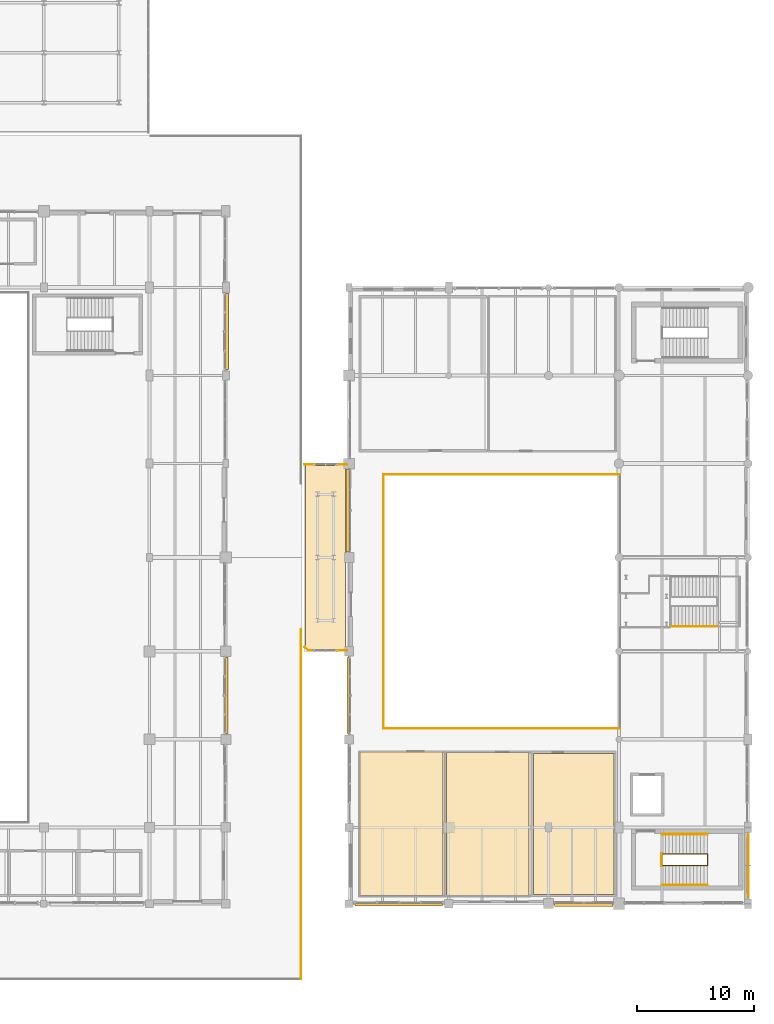
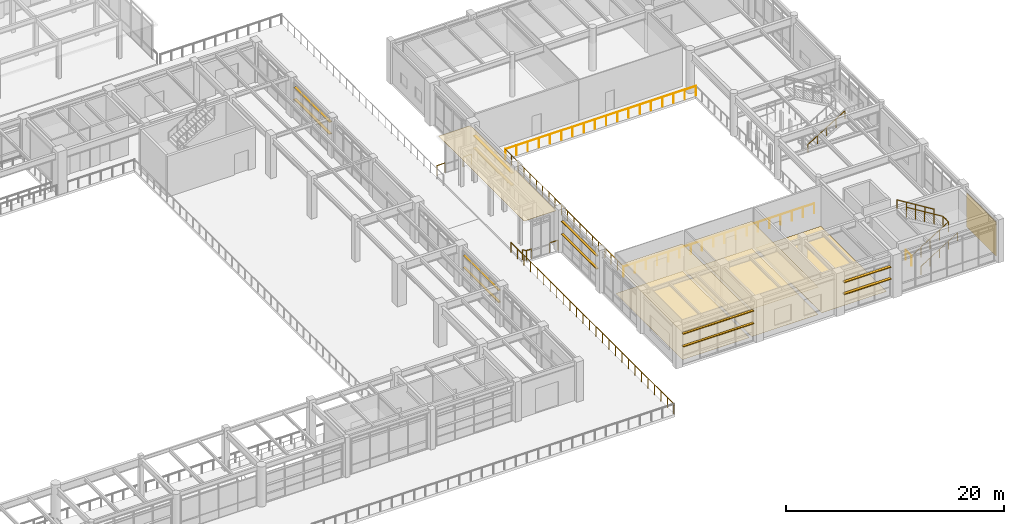
# One storey, part 198 of 200: 13 railings, 12 shading devices, 7 coverings.
"""IFC4 building model written with IfcOpenShell, lengths in metres."""

import ifcopenshell
import ifcopenshell.guid

model = None  # the IFC model being written
_history = None  # IfcOwnerHistory: only IFC2X3 demands one
_inside = {}  # id of a spatial element -> (the spatial element, [elements in it])
_under = {}  # id of a project, library or spatial element -> (it, [spatial elements below it])
_declared = {}  # id of a project -> (the project, [libraries it declares])
_typed = {}  # id of a type object -> (the type object, [elements of that type])
_made_of = {}  # id of a material, layer set ... -> (it, [elements and type objects made of it])


def new_model(schema):
    """Start an empty IFC model of exactly this schema.

    Asked for "IFC4X3", IfcOpenShell would pick the latest addendum, in which some entities
    have other attributes; the version numbers below select the first issue.
    IFC2X3 requires an IfcOwnerHistory on every rooted entity: one is made here for all.
    """
    global model, _history
    if schema == "IFC4X3":
        model = ifcopenshell.file(schema_version=(4, 3, 0, 0))
    else:
        model = ifcopenshell.file(schema=schema)
    _inside.clear()
    _under.clear()
    _declared.clear()
    _typed.clear()
    _made_of.clear()
    _history = None
    if model.schema == "IFC2X3":
        org = make("IfcOrganization", Name="unknown")
        user = make(
            "IfcPersonAndOrganization",
            ThePerson=make("IfcPerson", FamilyName="unknown"),
            TheOrganization=org,
        )
        app = make(
            "IfcApplication",
            ApplicationDeveloper=org,
            Version="unknown",
            ApplicationFullName="unknown",
            ApplicationIdentifier="unknown",
        )
        _history = make(
            "IfcOwnerHistory",
            OwningUser=user,
            OwningApplication=app,
            ChangeAction="ADDED",
            CreationDate=0,
        )
    return model


def make(cls, **values):
    """One entity of the class cls with the attributes given. An attribute that is None is left unset."""
    return model.create_entity(
        cls, **{name: value for name, value in values.items() if value is not None}
    )


def rooted(cls, **values):
    """An entity with a GlobalId (a new one), such as an element, a storey or a relation."""
    return make(cls, GlobalId=ifcopenshell.guid.new(), OwnerHistory=_history, **values)


def si_unit(unit_type, name, prefix=None):
    """IfcSIUnit, for example si_unit("LENGTHUNIT", "METRE", prefix="MILLI")."""
    return make("IfcSIUnit", UnitType=unit_type, Prefix=prefix, Name=name)


def assignment(units):
    """IfcUnitAssignment: the units of a project."""
    return None if units is None else make("IfcUnitAssignment", Units=units)


def point(xyz):
    """IfcCartesianPoint."""
    return None if xyz is None else make("IfcCartesianPoint", Coordinates=xyz)


def direction(xyz):
    """IfcDirection."""
    return None if xyz is None else make("IfcDirection", DirectionRatios=xyz)


def frame(location, z_axis=None, x_axis=None):
    """IfcAxis2Placement3D, a coordinate frame: its origin and axes. An axis left out is left unset."""
    return make(
        "IfcAxis2Placement3D",
        Location=point(location),
        Axis=direction(z_axis),
        RefDirection=direction(x_axis),
    )


def frame_2d(location, x_axis=None):
    """IfcAxis2Placement2D, a coordinate frame in the plane: its origin and x axis."""
    return make(
        "IfcAxis2Placement2D", Location=point(location), RefDirection=direction(x_axis)
    )


def origin():
    """The frame at (0, 0, 0) with its axes left unset."""
    return frame((0.0, 0.0, 0.0))


def origin_2d():
    """The frame at (0, 0) in the plane with its x axis left unset."""
    return frame_2d((0.0, 0.0))


def place(relative_to, where):
    """IfcLocalPlacement: puts the frame where relative to a parent placement (None: the world)."""
    return make(
        "IfcLocalPlacement", PlacementRelTo=relative_to, RelativePlacement=where
    )


def context(
    kind, dimensions, precision=None, world=None, true_north=None, identifier=None
):
    """IfcGeometricRepresentationContext, for example the 3D "Model" context."""
    return make(
        "IfcGeometricRepresentationContext",
        ContextIdentifier=identifier,
        ContextType=kind,
        CoordinateSpaceDimension=dimensions,
        Precision=precision,
        WorldCoordinateSystem=world,
        TrueNorth=true_north,
    )


def subcontext(parent, identifier, kind, view, scale=None):
    """IfcGeometricRepresentationSubContext, for example "Body" below "Model"."""
    return make(
        "IfcGeometricRepresentationSubContext",
        ContextIdentifier=identifier,
        ContextType=kind,
        ParentContext=parent,
        TargetScale=scale,
        TargetView=view,
    )


def project(units=None, contexts=None):
    """IfcProject with its units and contexts."""
    return rooted(
        "IfcProject",
        Name="project",
        RepresentationContexts=contexts,
        UnitsInContext=assignment(units),
    )


def spatial(cls, under=None, at=None, **own):
    """A site, building, storey or space (cls), placed at a placement, below another one or the project."""
    s = rooted(cls, ObjectPlacement=at, **own)
    if under is not None:
        _under.setdefault(under.id(), (under, []))[1].append(s)
    return s


def polyline(points):
    """IfcPolyline through the points."""
    return make("IfcPolyline", Points=[point(p) for p in points])


def profile(cls, at=None, kind="AREA", **sizes):
    """A parametric profile (cls). Its sizes go by their IFC names, for example OverallWidth=200.0."""
    return make(cls, ProfileType=kind, Position=at, **sizes)


def rectangle(**sizes):
    """IfcRectangleProfileDef."""
    return profile("IfcRectangleProfileDef", **sizes)


def circle(**sizes):
    """IfcCircleProfileDef."""
    return profile("IfcCircleProfileDef", **sizes)


def outline(outer, holes=None, kind="AREA"):
    """IfcArbitraryClosedProfileDef: a profile drawn as a closed curve; with holes, ...WithVoids."""
    if holes is None:
        return make("IfcArbitraryClosedProfileDef", ProfileType=kind, OuterCurve=outer)
    return make(
        "IfcArbitraryProfileDefWithVoids",
        ProfileType=kind,
        OuterCurve=outer,
        InnerCurves=holes,
    )


def extrude(swept, where, along, depth):
    """IfcExtrudedAreaSolid: the profile swept, set in the frame where, extruded along a direction by depth."""
    return make(
        "IfcExtrudedAreaSolid",
        SweptArea=swept,
        Position=where,
        ExtrudedDirection=direction(along),
        Depth=depth,
    )


def shape(context_of_items, identifier, shape_type, items):
    """IfcShapeRepresentation: the items that make up one representation, for example the "Body"."""
    return make(
        "IfcShapeRepresentation",
        ContextOfItems=context_of_items,
        RepresentationIdentifier=identifier,
        RepresentationType=shape_type,
        Items=items,
    )


def material(Name=None, Category=None):
    """IfcMaterial."""
    return make("IfcMaterial", Name=Name, Category=Category)


def layer(
    of_material, thickness, ventilated=None, Name=None, Category=None, Priority=None
):
    """IfcMaterialLayer: one layer of a wall or slab, of a material (None: an air gap)."""
    return make(
        "IfcMaterialLayer",
        Material=of_material,
        LayerThickness=thickness,
        IsVentilated=ventilated,
        Name=Name,
        Category=Category,
        Priority=Priority,
    )


def layer_set(layers, Name=None):
    """IfcMaterialLayerSet."""
    return make("IfcMaterialLayerSet", MaterialLayers=layers, LayerSetName=Name)


def made_of(thing, what):
    """Note that an element or type object is made of a material, layer set ...; save() writes the relation."""
    if what is not None:
        _made_of.setdefault(what.id(), (what, []))[1].append(thing)
    return thing


def type_object(cls, material=None, **own):
    """A type object (cls), such as IfcWallType, which elements share."""
    return made_of(rooted(cls, **own), material)


def element(
    cls,
    number,
    at=None,
    inside=None,
    cuts=None,
    type_object=None,
    material=None,
    context=None,
    identifier="Body",
    shape_type=None,
    held_by="IfcProductDefinitionShape",
    body=None,
    shapes=None,
    **own,
):
    """One element of the class cls, such as IfcWall. Its Tag is "e" and its number.

    at: its placement. inside: the storey or other place that contains it. cuts: it is an
    opening in that element (IfcRelVoidsElement). A single representation is given by context,
    identifier, shape_type and body (its items); several are given by shapes. held_by: the class
    of the entity that holds the representations. save() writes the other relations.
    """
    e = rooted(cls, Tag="e%d" % number, ObjectPlacement=at, **own)
    if body is not None:
        shapes = [shape(context, identifier, shape_type, body)]
    if shapes is not None:
        e.Representation = make(held_by, Representations=shapes)
    if inside is not None:
        _inside.setdefault(inside.id(), (inside, []))[1].append(e)
    if cuts is not None:
        rooted(
            "IfcRelVoidsElement", RelatingBuildingElement=cuts, RelatedOpeningElement=e
        )
    if type_object is not None:
        _typed.setdefault(type_object.id(), (type_object, []))[1].append(e)
    return made_of(e, material)


def aggregate(whole, parts):
    """IfcRelAggregates: a whole, such as a stair, and the parts it consists of."""
    return rooted("IfcRelAggregates", RelatingObject=whole, RelatedObjects=parts)


def save(model, path):
    """Write the relations noted so far, then the file.

    IfcRelAggregates (storeys below a building ...), IfcRelContainedInSpatialStructure (elements
    in a storey), IfcRelDefinesByType, IfcRelAssociatesMaterial and IfcRelDeclares: one each for
    every whole, place, type object, material and project.
    """
    for whole, parts in _under.values():
        aggregate(whole, parts)
    for where, things in _inside.values():
        rooted(
            "IfcRelContainedInSpatialStructure",
            RelatedElements=things,
            RelatingStructure=where,
        )
    for kind, things in _typed.values():
        rooted("IfcRelDefinesByType", RelatedObjects=things, RelatingType=kind)
    for what, things in _made_of.values():
        rooted("IfcRelAssociatesMaterial", RelatedObjects=things, RelatingMaterial=what)
    for by, libraries in _declared.values():
        rooted("IfcRelDeclares", RelatingContext=by, RelatedDefinitions=libraries)
    model.write(path)


model = new_model("IFC4")

# Units and contexts
model_context = context("Model", 3, precision=1e-05, world=origin(), true_north=direction((0.0, 1.0)))
body_context = subcontext(model_context, "Body", "Model", "MODEL_VIEW")
ifc_project = project(units=[si_unit("LENGTHUNIT", "METRE"), si_unit("AREAUNIT", "SQUARE_METRE"), si_unit("VOLUMEUNIT", "CUBIC_METRE"), si_unit("PLANEANGLEUNIT", "RADIAN"), si_unit("MASSUNIT", "GRAM", prefix="KILO"), si_unit("THERMODYNAMICTEMPERATUREUNIT", "KELVIN"), si_unit("POWERUNIT", "WATT")], contexts=[model_context])

# Site, building, storey
site_placement = place(None, origin())
site = spatial("IfcSite", under=ifc_project, at=site_placement, CompositionType="ELEMENT")
building_placement = place(site_placement, origin())
building = spatial("IfcBuilding", under=site, at=building_placement, Name="Tepalcoro Natatorium and Aquatics Centre", CompositionType="ELEMENT")
storey_placement = place(building_placement, frame((0.0, 0.0, 5.39990234375)))
storey = spatial("IfcBuildingStorey", under=building, at=storey_placement, Name="L01", CompositionType="ELEMENT", Elevation=5.39990234375)

# Railings
ifc_material_1 = material(Name="Marine-Grade Brushed Stainless Steel AISI 316L", Category="steel")
railing_type_1 = type_object("IfcRailingType", Name="BL_GLASS_1100", PredefinedType="BALUSTRADE", material=ifc_material_1)
railing_1_placement = place(storey_placement, frame((144.919921875, 21.419921875, 0.0)))
element("IfcRailing", 1, at=railing_1_placement, inside=storey, type_object=railing_type_1, Name="V2 L01 Diving Well Gallery Balustrade (S)", PredefinedType="BALUSTRADE", context=body_context, shape_type="SweptSolid", body=[
    extrude(circle(Radius=0.02392578125, at=origin_2d()), frame((0.0, 0.0, 1.09619140625), z_axis=(1.0, 0.0, 0.0), x_axis=(0.0, 1.0, 0.0)), (0.0, 0.0, 1.0), 20.16015625),
    extrude(circle(Radius=0.02099609375, at=origin_2d()), origin(), (0.0, 0.0, 1.0), 1.072021484375),
    extrude(circle(Radius=0.02099609375, at=origin_2d()), frame((1.185791015625, 0.0, 0.0)), (0.0, 0.0, 1.0), 1.072021484375),
    extrude(circle(Radius=0.02099609375, at=origin_2d()), frame((2.371826171875, 0.0, 0.0)), (0.0, 0.0, 1.0), 1.072021484375),
    extrude(circle(Radius=0.02099609375, at=origin_2d()), frame((3.5576171875, 0.0, 0.0)), (0.0, 0.0, 1.0), 1.072021484375),
    extrude(circle(Radius=0.02099609375, at=origin_2d()), frame((4.74365234375, 0.0, 0.0)), (0.0, 0.0, 1.0), 1.072021484375),
    extrude(circle(Radius=0.02099609375, at=origin_2d()), frame((5.929443359375, 0.0, 0.0)), (0.0, 0.0, 1.0), 1.072021484375),
    extrude(circle(Radius=0.02099609375, at=origin_2d()), frame((7.115234375, 0.0, 0.0)), (0.0, 0.0, 1.0), 1.072021484375),
    extrude(circle(Radius=0.02099609375, at=origin_2d()), frame((8.30126953125, 0.0, 0.0)), (0.0, 0.0, 1.0), 1.072021484375),
    extrude(circle(Radius=0.02099609375, at=origin_2d()), frame((9.487060546875, 0.0, 0.0)), (0.0, 0.0, 1.0), 1.072021484375),
    extrude(circle(Radius=0.02099609375, at=origin_2d()), frame((10.673095703125, 0.0, 0.0)), (0.0, 0.0, 1.0), 1.072021484375),
    extrude(circle(Radius=0.02099609375, at=origin_2d()), frame((11.85888671875, 0.0, 0.0)), (0.0, 0.0, 1.0), 1.072021484375),
    extrude(circle(Radius=0.02099609375, at=origin_2d()), frame((13.044921875, 0.0, 0.0)), (0.0, 0.0, 1.0), 1.072021484375),
    extrude(circle(Radius=0.02099609375, at=origin_2d()), frame((14.230712890625, 0.0, 0.0)), (0.0, 0.0, 1.0), 1.072021484375),
    extrude(circle(Radius=0.02099609375, at=origin_2d()), frame((15.41650390625, 0.0, 0.0)), (0.0, 0.0, 1.0), 1.072021484375),
    extrude(circle(Radius=0.02099609375, at=origin_2d()), frame((16.6025390625, 0.0, 0.0)), (0.0, 0.0, 1.0), 1.072021484375),
    extrude(circle(Radius=0.02099609375, at=origin_2d()), frame((17.788330078125, 0.0, 0.0)), (0.0, 0.0, 1.0), 1.072021484375),
    extrude(circle(Radius=0.02099609375, at=origin_2d()), frame((18.974365234375, 0.0, 0.0)), (0.0, 0.0, 1.0), 1.072021484375),
    extrude(circle(Radius=0.02099609375, at=origin_2d()), frame((20.16015625, 0.0, 0.0)), (0.0, 0.0, 1.0), 1.072021484375),
])
railing_2_placement = place(storey_placement, frame((165.080078125, 43.080078125, 0.0)))
element("IfcRailing", 2, at=railing_2_placement, inside=storey, type_object=railing_type_1, Name="V2 L01 Diving Well Gallery Balustrade (N)", PredefinedType="BALUSTRADE", context=body_context, shape_type="SweptSolid", body=[
    extrude(circle(Radius=0.02392578125, at=origin_2d()), frame((0.0, 0.0, 1.09619140625), z_axis=(-1.0, 0.0, 0.0), x_axis=(0.0, -1.0, 0.0)), (0.0, 0.0, 1.0), 20.16015625),
    extrude(circle(Radius=0.02099609375, at=origin_2d()), origin(), (0.0, 0.0, 1.0), 1.072021484375),
    extrude(circle(Radius=0.02099609375, at=origin_2d()), frame((-1.185791015625, 0.0, 0.0)), (0.0, 0.0, 1.0), 1.072021484375),
    extrude(circle(Radius=0.02099609375, at=origin_2d()), frame((-2.371826171875, 0.0, 0.0)), (0.0, 0.0, 1.0), 1.072021484375),
    extrude(circle(Radius=0.02099609375, at=origin_2d()), frame((-3.5576171875, 0.0, 0.0)), (0.0, 0.0, 1.0), 1.072021484375),
    extrude(circle(Radius=0.02099609375, at=origin_2d()), frame((-4.74365234375, 0.0, 0.0)), (0.0, 0.0, 1.0), 1.072021484375),
    extrude(circle(Radius=0.02099609375, at=origin_2d()), frame((-5.929443359375, 0.0, 0.0)), (0.0, 0.0, 1.0), 1.072021484375),
    extrude(circle(Radius=0.02099609375, at=origin_2d()), frame((-7.115234375, 0.0, 0.0)), (0.0, 0.0, 1.0), 1.072021484375),
    extrude(circle(Radius=0.02099609375, at=origin_2d()), frame((-8.30126953125, 0.0, 0.0)), (0.0, 0.0, 1.0), 1.072021484375),
    extrude(circle(Radius=0.02099609375, at=origin_2d()), frame((-9.487060546875, 0.0, 0.0)), (0.0, 0.0, 1.0), 1.072021484375),
    extrude(circle(Radius=0.02099609375, at=origin_2d()), frame((-10.673095703125, 0.0, 0.0)), (0.0, 0.0, 1.0), 1.072021484375),
    extrude(circle(Radius=0.02099609375, at=origin_2d()), frame((-11.85888671875, 0.0, 0.0)), (0.0, 0.0, 1.0), 1.072021484375),
    extrude(circle(Radius=0.02099609375, at=origin_2d()), frame((-13.044921875, 0.0, 0.0)), (0.0, 0.0, 1.0), 1.072021484375),
    extrude(circle(Radius=0.02099609375, at=origin_2d()), frame((-14.230712890625, 0.0, 0.0)), (0.0, 0.0, 1.0), 1.072021484375),
    extrude(circle(Radius=0.02099609375, at=origin_2d()), frame((-15.41650390625, 0.0, 0.0)), (0.0, 0.0, 1.0), 1.072021484375),
    extrude(circle(Radius=0.02099609375, at=origin_2d()), frame((-16.6025390625, 0.0, 0.0)), (0.0, 0.0, 1.0), 1.072021484375),
    extrude(circle(Radius=0.02099609375, at=origin_2d()), frame((-17.788330078125, 0.0, 0.0)), (0.0, 0.0, 1.0), 1.072021484375),
    extrude(circle(Radius=0.02099609375, at=origin_2d()), frame((-18.974365234375, 0.0, 0.0)), (0.0, 0.0, 1.0), 1.072021484375),
    extrude(circle(Radius=0.02099609375, at=origin_2d()), frame((-20.16015625, 0.0, 0.0)), (0.0, 0.0, 1.0), 1.072021484375),
])
railing_3_placement = place(storey_placement, frame((144.919921875, 43.080078125, 0.0)))
element("IfcRailing", 3, at=railing_3_placement, inside=storey, type_object=railing_type_1, Name="V2 L01 Diving Well Gallery Balustrade (W)", PredefinedType="BALUSTRADE", context=body_context, shape_type="SweptSolid", body=[
    extrude(circle(Radius=0.02392578125, at=origin_2d()), frame((0.0, 0.0, 1.09619140625), z_axis=(0.0, -1.0, 0.0), x_axis=(1.0, 0.0, 0.0)), (0.0, 0.0, 1.0), 21.66015625),
    extrude(circle(Radius=0.02099609375, at=origin_2d()), origin(), (0.0, 0.0, 1.0), 1.072021484375),
    extrude(circle(Radius=0.02099609375, at=origin_2d()), frame((0.0, -1.139892578125, 0.0)), (0.0, 0.0, 1.0), 1.072021484375),
    extrude(circle(Radius=0.02099609375, at=origin_2d()), frame((0.0, -2.280029296875, 0.0)), (0.0, 0.0, 1.0), 1.072021484375),
    extrude(circle(Radius=0.02099609375, at=origin_2d()), frame((0.0, -3.419921875, 0.0)), (0.0, 0.0, 1.0), 1.072021484375),
    extrude(circle(Radius=0.02099609375, at=origin_2d()), frame((0.0, -4.56005859375, 0.0)), (0.0, 0.0, 1.0), 1.072021484375),
    extrude(circle(Radius=0.02099609375, at=origin_2d()), frame((0.0, -5.699951171875, 0.0)), (0.0, 0.0, 1.0), 1.072021484375),
    extrude(circle(Radius=0.02099609375, at=origin_2d()), frame((0.0, -6.840087890625, 0.0)), (0.0, 0.0, 1.0), 1.072021484375),
    extrude(circle(Radius=0.02099609375, at=origin_2d()), frame((0.0, -7.97998046875, 0.0)), (0.0, 0.0, 1.0), 1.072021484375),
    extrude(circle(Radius=0.02099609375, at=origin_2d()), frame((0.0, -9.1201171875, 0.0)), (0.0, 0.0, 1.0), 1.072021484375),
    extrude(circle(Radius=0.02099609375, at=origin_2d()), frame((0.0, -10.260009765625, 0.0)), (0.0, 0.0, 1.0), 1.072021484375),
    extrude(circle(Radius=0.02099609375, at=origin_2d()), frame((0.0, -11.400146484375, 0.0)), (0.0, 0.0, 1.0), 1.072021484375),
    extrude(circle(Radius=0.02099609375, at=origin_2d()), frame((0.0, -12.5400390625, 0.0)), (0.0, 0.0, 1.0), 1.072021484375),
    extrude(circle(Radius=0.02099609375, at=origin_2d()), frame((0.0, -13.68017578125, 0.0)), (0.0, 0.0, 1.0), 1.072021484375),
    extrude(circle(Radius=0.02099609375, at=origin_2d()), frame((0.0, -14.820068359375, 0.0)), (0.0, 0.0, 1.0), 1.072021484375),
    extrude(circle(Radius=0.02099609375, at=origin_2d()), frame((0.0, -15.960205078125, 0.0)), (0.0, 0.0, 1.0), 1.072021484375),
    extrude(circle(Radius=0.02099609375, at=origin_2d()), frame((0.0, -17.10009765625, 0.0)), (0.0, 0.0, 1.0), 1.072021484375),
    extrude(circle(Radius=0.02099609375, at=origin_2d()), frame((0.0, -18.240234375, 0.0)), (0.0, 0.0, 1.0), 1.072021484375),
    extrude(circle(Radius=0.02099609375, at=origin_2d()), frame((0.0, -19.380126953125, 0.0)), (0.0, 0.0, 1.0), 1.072021484375),
    extrude(circle(Radius=0.02099609375, at=origin_2d()), frame((0.0, -20.520263671875, 0.0)), (0.0, 0.0, 1.0), 1.072021484375),
    extrude(circle(Radius=0.02099609375, at=origin_2d()), frame((0.0, -21.66015625, 0.0)), (0.0, 0.0, 1.0), 1.072021484375),
])

# Coverings
ifc_material_2 = material(Name="Volcanic Recinto Basalt Ashlar Masonry", Category="masonry")
ifc_layer_1 = layer(ifc_material_2, 0.070068359375)
ifc_layer_set_1 = layer_set([ifc_layer_1], Name="Volcanic Recinto Basalt Ashlar Masonry")
covering_type_1 = type_object("IfcCoveringType", Name="CD_RECINTO_70", PredefinedType="CLADDING", material=ifc_layer_set_1)
covering_1_placement = place(storey_placement, frame((176.030029296875, 9.72509765625, 0.10009765625), z_axis=(0.0, 0.0, 1.0), x_axis=(1.0, 0.0, 0.0)))
element("IfcCovering", 4, at=covering_1_placement, inside=storey, type_object=covering_type_1, Name="Volcanic Stone Facade Cladding CD_RECINTO_70", PredefinedType="CLADDING", context=body_context, shape_type="SweptSolid", body=[
    extrude(rectangle(XDim=0.070068359375, YDim=5.342041015625, at=origin_2d()), origin(), (0.0, 0.0, 1.0), 3.7939453125),
])
ifc_material_3 = material(Name="Perforated Corrosion-Resistant Acoustic Aluminium Baffle Ceiling", Category="aluminium")
ifc_layer_2 = layer(ifc_material_3, 0.044921875)
ifc_layer_set_2 = layer_set([ifc_layer_2], Name="Perforated Corrosion-Resistant Acoustic Aluminium Baffle Ceiling")
covering_type_2 = type_object("IfcCoveringType", Name="CL_BAFFLE_120", PredefinedType="CEILING", material=ifc_layer_set_2)
covering_2_placement = place(storey_placement, frame((0.0, 0.0, 3.050048828125)))
element("IfcCovering", 5, at=covering_2_placement, inside=storey, type_object=covering_type_2, Name="Diving Spectators Viewing Gallery & Bar Suspended Ceiling", PredefinedType="CEILING", context=body_context, shape_type="SweptSolid", body=[
    extrude(outline(polyline([(142.929931640625, 7.18994140625), (142.929931640625, 19.409912109375), (150.0029296875, 19.409912109375), (150.0029296875, 7.18994140625), (142.929931640625, 7.18994140625)])), origin(), (0.0, 0.0, 1.0), 0.045166015625),
])
ifc_material_4 = material(Name="Moisture-Resistant Acoustic Gypsum Drywall on Cold-Formed Metal Studs")
ifc_layer_3 = layer(ifc_material_4, 0.030029296875)
ifc_layer_set_3 = layer_set([ifc_layer_3], Name="Moisture-Resistant Acoustic Gypsum Drywall on Cold-Formed Metal Studs")
covering_type_3 = type_object("IfcCoveringType", Name="CL_GYPSUM_30", PredefinedType="CEILING", material=ifc_layer_set_3)
covering_3_placement = place(storey_placement, frame((0.0, 0.0, 3.050048828125)))
element("IfcCovering", 6, at=covering_3_placement, inside=storey, type_object=covering_type_3, Name="Acrobatic Dry-Board Harness & Foam-Pit Studio Suspended Ceiling", PredefinedType="CEILING", context=body_context, shape_type="SweptSolid", body=[
    extrude(outline(polyline([(150.2880859375, 7.215087890625), (150.2880859375, 19.385009765625), (157.31201171875, 19.385009765625), (157.31201171875, 7.215087890625), (150.2880859375, 7.215087890625)])), origin(), (0.0, 0.0, 1.0), 0.030029296875),
])
ifc_material_5 = material(Name="Shock-Absorbing Vulcanised Athletic Rubber Flooring")
ifc_layer_4 = layer(ifc_material_5, 0.010009765625)
ifc_layer_set_4 = layer_set([ifc_layer_4], Name="Shock-Absorbing Vulcanised Athletic Rubber Flooring")
covering_type_4 = type_object("IfcCoveringType", Name="FL_CARPET_10", PredefinedType="FLOORING", material=ifc_layer_set_4)
covering_4_placement = place(storey_placement, origin())
element("IfcCovering", 7, at=covering_4_placement, inside=storey, type_object=covering_type_4, Name="Acrobatic Dry-Board Harness & Foam-Pit Studio Floor Finish", PredefinedType="FLOORING", context=body_context, shape_type="SweptSolid", body=[
    extrude(outline(polyline([(150.2880859375, 7.215087890625), (150.2880859375, 19.385009765625), (157.31201171875, 19.385009765625), (157.31201171875, 7.215087890625), (150.2880859375, 7.215087890625)])), origin(), (0.0, 0.0, 1.0), 0.010009765625),
])
ifc_material_6 = material(Name="Chemical-Resistant Quartz-Broadcast Epoxy Flooring")
ifc_layer_5 = layer(ifc_material_6, 0.008056640625)
ifc_layer_set_5 = layer_set([ifc_layer_5], Name="Chemical-Resistant Quartz-Broadcast Epoxy Flooring")
covering_type_5 = type_object("IfcCoveringType", Name="FL_EPOXY_8", PredefinedType="FLOORING", material=ifc_layer_set_5)
covering_5_placement = place(storey_placement, origin())
element("IfcCovering", 8, at=covering_5_placement, inside=storey, type_object=covering_type_5, Name="Diving Spectators Viewing Gallery & Bar Floor Finish", PredefinedType="FLOORING", context=body_context, shape_type="SweptSolid", body=[
    extrude(outline(polyline([(142.929931640625, 7.18994140625), (142.929931640625, 19.409912109375), (150.0029296875, 19.409912109375), (150.0029296875, 7.18994140625), (142.929931640625, 7.18994140625)])), origin(), (0.0, 0.0, 1.0), 0.008056640625),
])
ifc_layer_6 = layer(ifc_material_5, 0.011962890625)
ifc_layer_set_6 = layer_set([ifc_layer_6], Name="Shock-Absorbing Vulcanised Athletic Rubber Flooring")
covering_type_6 = type_object("IfcCoveringType", Name="FL_RUBBER_12", PredefinedType="FLOORING", material=ifc_layer_set_6)
covering_6_placement = place(storey_placement, origin())
element("IfcCovering", 9, at=covering_6_placement, inside=storey, type_object=covering_type_6, Name="Diving Gallery Male/Female & Accessible WC Floor Finish", PredefinedType="FLOORING", context=body_context, shape_type="SweptSolid", body=[
    extrude(outline(polyline([(157.697021484375, 7.2900390625), (157.697021484375, 19.31005859375), (164.570068359375, 19.31005859375), (164.570068359375, 7.2900390625), (157.697021484375, 7.2900390625)])), origin(), (0.0, 0.0, 1.0), 0.01220703125),
])
ifc_material_7 = material(Name="Intensive Native Jalisco Planted Roof Substrate and Waterproofing Membrane")
ifc_layer_7 = layer(ifc_material_7, 0.00390625)
ifc_layer_set_7 = layer_set([ifc_layer_7], Name="Intensive Native Jalisco Planted Roof Substrate and Waterproofing Membrane")
covering_type_7 = type_object("IfcCoveringType", Name="MEM_EPDM_4", PredefinedType="MEMBRANE", material=ifc_layer_set_7)
covering_7_placement = place(storey_placement, frame((0.0, 0.0, 4.400146484375)))
element("IfcCovering", 10, at=covering_7_placement, inside=storey, type_object=covering_type_7, Name="East Diving Seismic Link Roof Waterproofing Membrane", PredefinedType="MEMBRANE", context=body_context, shape_type="SweptSolid", body=[
    extrude(outline(polyline([(138.300048828125, 28.14990234375), (141.699951171875, 28.14990234375), (141.699951171875, 43.85009765625), (138.300048828125, 43.85009765625), (138.300048828125, 28.14990234375)])), origin(), (0.0, 0.0, 1.0), 0.00390625),
])

# Railings
railing_type_2 = type_object("IfcRailingType", Name="RL_GLASS_1100", PredefinedType="GUARDRAIL", material=ifc_material_1)
railing_4_placement = place(storey_placement, frame((168.64990234375, 9.75, 0.0)))
element("IfcRailing", 11, at=railing_4_placement, inside=storey, type_object=railing_type_2, Name="ST03-L01 Inner Stairwell Guardrail", PredefinedType="GUARDRAIL", context=body_context, shape_type="SweptSolid", body=[
    extrude(circle(Radius=0.02392578125, at=origin_2d()), frame((0.0, 0.0, 1.09619140625), z_axis=(0.851652825334, 0.0, 0.524106349037), x_axis=(0.0, 1.0, 0.0)), (0.0, 0.0, 1.0), 4.57958984375),
    extrude(circle(Radius=0.02392578125, at=origin_2d()), frame((3.900146484375, 0.0, 3.49609375), z_axis=(0.0, 1.0, 0.0), x_axis=(-1.0, 0.0, 0.0)), (0.0, 0.0, 1.0), 1.0),
    extrude(circle(Radius=0.02392578125, at=origin_2d()), frame((3.900146484375, 1.0, 3.49609375), z_axis=(-0.851676621109, 0.0, 0.524067679844), x_axis=(0.0, -1.0, 0.0)), (0.0, 0.0, 1.0), 4.579345703125),
    extrude(circle(Radius=0.02099609375, at=origin_2d()), origin(), (0.0, 0.0, 1.0), 1.072021484375),
    extrude(circle(Radius=0.02099609375, at=origin_2d()), frame((0.97509765625, 0.0, 0.60009765625)), (0.0, 0.0, 1.0), 1.072021484375),
    extrude(circle(Radius=0.02099609375, at=origin_2d()), frame((1.9501953125, 0.0, 1.2001953125)), (0.0, 0.0, 1.0), 1.072021484375),
    extrude(circle(Radius=0.02099609375, at=origin_2d()), frame((2.925048828125, 0.0, 1.800048828125)), (0.0, 0.0, 1.0), 1.072021484375),
    extrude(circle(Radius=0.02099609375, at=origin_2d()), frame((3.900146484375, 0.0, 2.400146484375)), (0.0, 0.0, 1.0), 1.072021484375),
    extrude(circle(Radius=0.02099609375, at=origin_2d()), frame((3.900146484375, 1.0, 2.400146484375)), (0.0, 0.0, 1.0), 1.072021484375),
    extrude(circle(Radius=0.02099609375, at=origin_2d()), frame((2.925048828125, 1.0, 3.0)), (0.0, 0.0, 1.0), 1.072021484375),
    extrude(circle(Radius=0.02099609375, at=origin_2d()), frame((1.9501953125, 1.0, 3.60009765625)), (0.0, 0.0, 1.0), 1.072021484375),
    extrude(circle(Radius=0.02099609375, at=origin_2d()), frame((0.97509765625, 1.0, 4.2001953125)), (0.0, 0.0, 1.0), 1.072021484375),
    extrude(circle(Radius=0.02099609375, at=origin_2d()), frame((0.0, 1.0, 4.800048828125)), (0.0, 0.0, 1.0), 1.072021484375),
])
railing_5_placement = place(storey_placement, frame((168.6201171875, 9.7099609375, 0.0)))
element("IfcRailing", 12, at=railing_5_placement, inside=storey, type_object=railing_type_2, Name="ST03-L01 Landing Well Slot Guard", PredefinedType="GUARDRAIL", context=body_context, shape_type="SweptSolid", body=[
    extrude(circle(Radius=0.02392578125, at=origin_2d()), frame((0.0, 0.0, 1.09619140625), z_axis=(0.0, 1.0, 0.0), x_axis=(-1.0, 0.0, 0.0)), (0.0, 0.0, 1.0), 1.080078125),
    extrude(circle(Radius=0.02099609375, at=origin_2d()), origin(), (0.0, 0.0, 1.0), 1.072021484375),
    extrude(circle(Radius=0.02099609375, at=origin_2d()), frame((0.0, 1.080078125, 0.0)), (0.0, 0.0, 1.0), 1.072021484375),
])
railing_6_placement = place(storey_placement, frame((138.2099609375, 28.35009765625, 0.0)))
element("IfcRailing", 13, at=railing_6_placement, inside=storey, type_object=railing_type_2, Name="East Diving Seismic Link L01 Seismic Joint Edge Guard SW", PredefinedType="GUARDRAIL", context=body_context, shape_type="SweptSolid", body=[
    extrude(circle(Radius=0.02392578125, at=origin_2d()), frame((0.0, 0.0, 1.09619140625), z_axis=(0.743324219436, -0.668931315457, 0.0), x_axis=(0.668931315457, 0.743324219436, 0.0)), (0.0, 0.0, 1.0), 0.403564453125),
    extrude(circle(Radius=0.02392578125, at=origin_2d()), frame((0.300048828125, -0.27001953125, 1.09619140625), z_axis=(1.0, 0.0, 0.0), x_axis=(0.0, 1.0, 0.0)), (0.0, 0.0, 1.0), 0.5400390625),
    extrude(circle(Radius=0.02099609375, at=origin_2d()), origin(), (0.0, 0.0, 1.0), 1.072021484375),
    extrude(circle(Radius=0.02099609375, at=origin_2d()), frame((0.300048828125, -0.27001953125, 0.0)), (0.0, 0.0, 1.0), 1.072021484375),
    extrude(circle(Radius=0.02099609375, at=origin_2d()), frame((0.840087890625, -0.27001953125, 0.0)), (0.0, 0.0, 1.0), 1.072021484375),
])
for number, where, name in (
    (14, (140.949951171875, 28.080078125, 0.0), "East Diving Seismic Link L01 Seismic Joint Edge Guard SE"),
    (15, (138.18994140625, 43.919921875, 0.0), "East Diving Seismic Link L01 Seismic Joint Edge Guard NW"),
    (16, (140.949951171875, 43.919921875, 0.0), "East Diving Seismic Link L01 Seismic Joint Edge Guard NE"),
):
    element("IfcRailing", number, at=place(storey_placement, frame(where)), inside=storey, type_object=railing_type_2, Name=name, PredefinedType="GUARDRAIL", context=body_context, shape_type="SweptSolid", body=[
        extrude(circle(Radius=0.02392578125, at=origin_2d()), frame((0.0, 0.0, 1.09619140625), z_axis=(1.0, 0.0, 0.0), x_axis=(0.0, 1.0, 0.0)), (0.0, 0.0, 1.0), 0.860107421875),
        extrude(circle(Radius=0.02099609375, at=origin_2d()), origin(), (0.0, 0.0, 1.0), 1.072021484375),
        extrude(circle(Radius=0.02099609375, at=origin_2d()), frame((0.860107421875, 0.0, 0.0)), (0.0, 0.0, 1.0), 1.072021484375),
    ])
ifc_material_8 = material(Name="Bronze-Anodised Extruded Aluminium Alloy EN AW-6063 T6", Category="aluminium")
railing_type_3 = type_object("IfcRailingType", Name="RL_HAND_900_BRZ", PredefinedType="HANDRAIL", material=ifc_material_8)
railing_7_placement = place(storey_placement, frame((169.4599609375, 30.1298828125, 0.0)))
element("IfcRailing", 17, at=railing_7_placement, inside=storey, type_object=railing_type_3, Name="ST25 Wall Handrail F1", PredefinedType="HANDRAIL", context=body_context, shape_type="SweptSolid", body=[
    extrude(circle(Radius=0.02392578125, at=origin_2d()), frame((0.0, 0.0, 0.8759765625), z_axis=(0.851652825334, 0.0, 0.524106349037), x_axis=(0.0, 1.0, 0.0)), (0.0, 0.0, 1.0), 4.57958984375),
    extrude(circle(Radius=0.02099609375, at=origin_2d()), origin(), (0.0, 0.0, 1.0), 0.851806640625),
    extrude(circle(Radius=0.02099609375, at=origin_2d()), frame((0.97509765625, 0.0, 0.60009765625)), (0.0, 0.0, 1.0), 0.851806640625),
    extrude(circle(Radius=0.02099609375, at=origin_2d()), frame((1.9501953125, 0.0, 1.2001953125)), (0.0, 0.0, 1.0), 0.851806640625),
    extrude(circle(Radius=0.02099609375, at=origin_2d()), frame((2.925048828125, 0.0, 1.800048828125)), (0.0, 0.0, 1.0), 0.851806640625),
    extrude(circle(Radius=0.02099609375, at=origin_2d()), frame((3.900146484375, 0.0, 2.400146484375)), (0.0, 0.0, 1.0), 0.851806640625),
])
railing_type_4 = type_object("IfcRailingType", Name="RL_HAND_920_SS", PredefinedType="HANDRAIL", material=ifc_material_1)
railing_8_placement = place(storey_placement, frame((168.64990234375, 8.080078125, 0.0)))
element("IfcRailing", 18, at=railing_8_placement, inside=storey, type_object=railing_type_4, Name="ST03-L01 Wall Handrail F1", PredefinedType="HANDRAIL", context=body_context, shape_type="SweptSolid", body=[
    extrude(circle(Radius=0.02392578125, at=origin_2d()), frame((0.0, 0.0, 0.89599609375), z_axis=(0.851652825334, 0.0, 0.524106349037), x_axis=(0.0, 1.0, 0.0)), (0.0, 0.0, 1.0), 4.57958984375),
    extrude(circle(Radius=0.02099609375, at=origin_2d()), origin(), (0.0, 0.0, 1.0), 0.871826171875),
    extrude(circle(Radius=0.02099609375, at=origin_2d()), frame((0.97509765625, 0.0, 0.60009765625)), (0.0, 0.0, 1.0), 0.871826171875),
    extrude(circle(Radius=0.02099609375, at=origin_2d()), frame((1.9501953125, 0.0, 1.2001953125)), (0.0, 0.0, 1.0), 0.871826171875),
    extrude(circle(Radius=0.02099609375, at=origin_2d()), frame((2.925048828125, 0.0, 1.800048828125)), (0.0, 0.0, 1.0), 0.871826171875),
    extrude(circle(Radius=0.02099609375, at=origin_2d()), frame((3.900146484375, 0.0, 2.400146484375)), (0.0, 0.0, 1.0), 0.871826171875),
])
railing_9_placement = place(storey_placement, frame((172.550048828125, 12.419921875, 2.400146484375)))
element("IfcRailing", 19, at=railing_9_placement, inside=storey, type_object=railing_type_4, Name="ST03-L01 Wall Handrail F2", PredefinedType="HANDRAIL", context=body_context, shape_type="SweptSolid", body=[
    extrude(circle(Radius=0.02392578125, at=origin_2d()), frame((0.0, 0.0, 0.89599609375), z_axis=(-0.851676621109, 0.0, 0.524067679844), x_axis=(0.0, -1.0, 0.0)), (0.0, 0.0, 1.0), 4.579345703125),
    extrude(circle(Radius=0.02099609375, at=origin_2d()), origin(), (0.0, 0.0, 1.0), 0.871826171875),
    extrude(circle(Radius=0.02099609375, at=origin_2d()), frame((-0.97509765625, 0.0, 0.60009765625)), (0.0, 0.0, 1.0), 0.871826171875),
    extrude(circle(Radius=0.02099609375, at=origin_2d()), frame((-1.9501953125, 0.0, 1.199951171875)), (0.0, 0.0, 1.0), 0.871826171875),
    extrude(circle(Radius=0.02099609375, at=origin_2d()), frame((-2.925048828125, 0.0, 1.7998046875)), (0.0, 0.0, 1.0), 0.871826171875),
    extrude(circle(Radius=0.02099609375, at=origin_2d()), frame((-3.900146484375, 0.0, 2.39990234375)), (0.0, 0.0, 1.0), 0.871826171875),
])
railing_type_5 = type_object("IfcRailingType", Name="RL_PERF_1100", PredefinedType="GUARDRAIL", material=ifc_material_1)
railing_10_placement = place(storey_placement, frame((137.919921875, 0.080078125, 0.0)))
element("IfcRailing", 20, at=railing_10_placement, inside=storey, type_object=railing_type_5, Name="V1 L01 Planted Terrace Perimeter Guardrail (E-1)", PredefinedType="GUARDRAIL", context=body_context, shape_type="SweptSolid", body=[
    extrude(circle(Radius=0.02392578125, at=origin_2d()), frame((0.0, 0.0, 1.11572265625), z_axis=(0.0, 1.0, 0.0), x_axis=(-1.0, 0.0, 0.0)), (0.0, 0.0, 1.0), 29.7998046875),
    extrude(circle(Radius=0.02099609375, at=origin_2d()), origin(), (0.0, 0.0, 1.0), 1.091796875),
    extrude(circle(Radius=0.02099609375, at=origin_2d()), frame((0.0, 1.19189453125, 0.0)), (0.0, 0.0, 1.0), 1.091796875),
    extrude(circle(Radius=0.02099609375, at=origin_2d()), frame((0.0, 2.384033203125, 0.0)), (0.0, 0.0, 1.0), 1.091796875),
    extrude(circle(Radius=0.02099609375, at=origin_2d()), frame((0.0, 3.575927734375, 0.0)), (0.0, 0.0, 1.0), 1.091796875),
    extrude(circle(Radius=0.02099609375, at=origin_2d()), frame((0.0, 4.76806640625, 0.0)), (0.0, 0.0, 1.0), 1.091796875),
    extrude(circle(Radius=0.02099609375, at=origin_2d()), frame((0.0, 5.9599609375, 0.0)), (0.0, 0.0, 1.0), 1.091796875),
    extrude(circle(Radius=0.02099609375, at=origin_2d()), frame((0.0, 7.15185546875, 0.0)), (0.0, 0.0, 1.0), 1.091796875),
    extrude(circle(Radius=0.02099609375, at=origin_2d()), frame((0.0, 8.343994140625, 0.0)), (0.0, 0.0, 1.0), 1.091796875),
    extrude(circle(Radius=0.02099609375, at=origin_2d()), frame((0.0, 9.535888671875, 0.0)), (0.0, 0.0, 1.0), 1.091796875),
    extrude(circle(Radius=0.02099609375, at=origin_2d()), frame((0.0, 10.72802734375, 0.0)), (0.0, 0.0, 1.0), 1.091796875),
    extrude(circle(Radius=0.02099609375, at=origin_2d()), frame((0.0, 11.919921875, 0.0)), (0.0, 0.0, 1.0), 1.091796875),
    extrude(circle(Radius=0.02099609375, at=origin_2d()), frame((0.0, 13.11181640625, 0.0)), (0.0, 0.0, 1.0), 1.091796875),
    extrude(circle(Radius=0.02099609375, at=origin_2d()), frame((0.0, 14.303955078125, 0.0)), (0.0, 0.0, 1.0), 1.091796875),
    extrude(circle(Radius=0.02099609375, at=origin_2d()), frame((0.0, 15.495849609375, 0.0)), (0.0, 0.0, 1.0), 1.091796875),
    extrude(circle(Radius=0.02099609375, at=origin_2d()), frame((0.0, 16.68798828125, 0.0)), (0.0, 0.0, 1.0), 1.091796875),
    extrude(circle(Radius=0.02099609375, at=origin_2d()), frame((0.0, 17.8798828125, 0.0)), (0.0, 0.0, 1.0), 1.091796875),
    extrude(circle(Radius=0.02099609375, at=origin_2d()), frame((0.0, 19.07177734375, 0.0)), (0.0, 0.0, 1.0), 1.091796875),
    extrude(circle(Radius=0.02099609375, at=origin_2d()), frame((0.0, 20.263916015625, 0.0)), (0.0, 0.0, 1.0), 1.091796875),
    extrude(circle(Radius=0.02099609375, at=origin_2d()), frame((0.0, 21.455810546875, 0.0)), (0.0, 0.0, 1.0), 1.091796875),
    extrude(circle(Radius=0.02099609375, at=origin_2d()), frame((0.0, 22.64794921875, 0.0)), (0.0, 0.0, 1.0), 1.091796875),
    extrude(circle(Radius=0.02099609375, at=origin_2d()), frame((0.0, 23.83984375, 0.0)), (0.0, 0.0, 1.0), 1.091796875),
    extrude(circle(Radius=0.02099609375, at=origin_2d()), frame((0.0, 25.03173828125, 0.0)), (0.0, 0.0, 1.0), 1.091796875),
    extrude(circle(Radius=0.02099609375, at=origin_2d()), frame((0.0, 26.223876953125, 0.0)), (0.0, 0.0, 1.0), 1.091796875),
    extrude(circle(Radius=0.02099609375, at=origin_2d()), frame((0.0, 27.415771484375, 0.0)), (0.0, 0.0, 1.0), 1.091796875),
    extrude(circle(Radius=0.02099609375, at=origin_2d()), frame((0.0, 28.60791015625, 0.0)), (0.0, 0.0, 1.0), 1.091796875),
    extrude(circle(Radius=0.02099609375, at=origin_2d()), frame((0.0, 29.7998046875, 0.0)), (0.0, 0.0, 1.0), 1.091796875),
])

# Shading devices
shading_device_type_1 = type_object("IfcShadingDeviceType", Name="SHD_FIN_BRONZE", PredefinedType="SHUTTER", material=ifc_material_8)
for number, where, z_axis, x_axis, name in (
    (21, (131.5849609375, 55.25, 1.996337890625), (0.0, 0.0, 1.0), (1.0, 0.0, 0.0), "Solar Shading Brise-Soleil SHD_FIN_BRONZE"),
    (22, (131.5849609375, 55.25, 3.323974609375), (0.0, 0.0, 1.0), (1.0, 0.0, 0.0), "Solar Shading Brise-Soleil SHD_FIN_BRONZE"),
):
    element("IfcShadingDevice", number, at=place(storey_placement, frame(where, z_axis=z_axis, x_axis=x_axis)), inside=storey, type_object=shading_device_type_1, Name=name, PredefinedType="SHUTTER", context=body_context, shape_type="SweptSolid", body=[
        extrude(rectangle(XDim=0.300048828125, YDim=6.4599609375, at=origin_2d()), origin(), (0.0, 0.0, 1.0), 0.080078125),
    ])
for number, where, z_axis, x_axis, name in (
    (23, (162.0, 6.4111328125, 1.998046875), (0.0, 0.0, 1.0), (1.0, 0.0, 0.0), "Solar Shading Brise-Soleil SHD_FIN_BRONZE"),
    (24, (162.0, 6.4111328125, 3.328125), (0.0, 0.0, 1.0), (1.0, 0.0, 0.0), "Solar Shading Brise-Soleil SHD_FIN_BRONZE"),
):
    element("IfcShadingDevice", number, at=place(storey_placement, frame(where, z_axis=z_axis, x_axis=x_axis)), inside=storey, type_object=shading_device_type_1, Name=name, PredefinedType="SHUTTER", context=body_context, shape_type="SweptSolid", body=[
        extrude(rectangle(XDim=4.9599609375, YDim=0.300048828125, at=origin_2d()), origin(), (0.0, 0.0, 1.0), 0.080078125),
    ])
for number, where, z_axis, x_axis, name in (
    (25, (141.90625, 40.0, 2.032470703125), (0.0, 0.0, 1.0), (1.0, 0.0, 0.0), "Solar Shading Brise-Soleil SHD_FIN_BRONZE"),
    (26, (141.90625, 40.0, 3.404052734375), (0.0, 0.0, 1.0), (1.0, 0.0, 0.0), "Solar Shading Brise-Soleil SHD_FIN_BRONZE"),
):
    element("IfcShadingDevice", number, at=place(storey_placement, frame(where, z_axis=z_axis, x_axis=x_axis)), inside=storey, type_object=shading_device_type_1, Name=name, PredefinedType="SHUTTER", context=body_context, shape_type="SweptSolid", body=[
        extrude(rectangle(XDim=0.300048828125, YDim=6.9599609375, at=origin_2d()), origin(), (0.0, 0.0, 1.0), 0.080078125),
    ])
shading_device_type_2 = type_object("IfcShadingDeviceType", Name="SHD_LOUVRE_AL", PredefinedType="JALOUSIE", material=ifc_material_8)
for number, where, z_axis, x_axis, name in (
    (27, (131.554931640625, 24.25, 1.996337890625), (0.0, 0.0, 1.0), (1.0, 0.0, 0.0), "Solar Shading Brise-Soleil SHD_LOUVRE_AL"),
    (28, (131.554931640625, 24.25, 3.323974609375), (0.0, 0.0, 1.0), (1.0, 0.0, 0.0), "Solar Shading Brise-Soleil SHD_LOUVRE_AL"),
):
    element("IfcShadingDevice", number, at=place(storey_placement, frame(where, z_axis=z_axis, x_axis=x_axis)), inside=storey, type_object=shading_device_type_2, Name=name, PredefinedType="JALOUSIE", context=body_context, shape_type="SweptSolid", body=[
        extrude(rectangle(XDim=0.239990234375, YDim=6.4599609375, at=origin_2d()), origin(), (0.0, 0.0, 1.0), 0.080078125),
    ])
for number, where, z_axis, x_axis, name in (
    (29, (146.25, 6.441162109375, 2.066650390625), (0.0, 0.0, 1.0), (1.0, 0.0, 0.0), "Solar Shading Brise-Soleil SHD_LOUVRE_AL"),
    (30, (146.25, 6.441162109375, 3.47998046875), (0.0, 0.0, 1.0), (1.0, 0.0, 0.0), "Solar Shading Brise-Soleil SHD_LOUVRE_AL"),
):
    element("IfcShadingDevice", number, at=place(storey_placement, frame(where, z_axis=z_axis, x_axis=x_axis)), inside=storey, type_object=shading_device_type_2, Name=name, PredefinedType="JALOUSIE", context=body_context, shape_type="SweptSolid", body=[
        extrude(rectangle(XDim=7.4599609375, YDim=0.239990234375, at=origin_2d()), origin(), (0.0, 0.0, 1.0), 0.080078125),
    ])
for number, where, z_axis, x_axis, name in (
    (31, (141.936279296875, 24.25, 2.087646484375), (0.0, 0.0, 1.0), (1.0, 0.0, 0.0), "Solar Shading Brise-Soleil SHD_LOUVRE_AL"),
    (32, (141.936279296875, 24.25, 3.527099609375), (0.0, 0.0, 1.0), (1.0, 0.0, 0.0), "Solar Shading Brise-Soleil SHD_LOUVRE_AL"),
):
    element("IfcShadingDevice", number, at=place(storey_placement, frame(where, z_axis=z_axis, x_axis=x_axis)), inside=storey, type_object=shading_device_type_2, Name=name, PredefinedType="JALOUSIE", context=body_context, shape_type="SweptSolid", body=[
        extrude(rectangle(XDim=0.239990234375, YDim=6.4599609375, at=origin_2d()), origin(), (0.0, 0.0, 1.0), 0.080078125),
    ])

save(model, "model.ifc")
